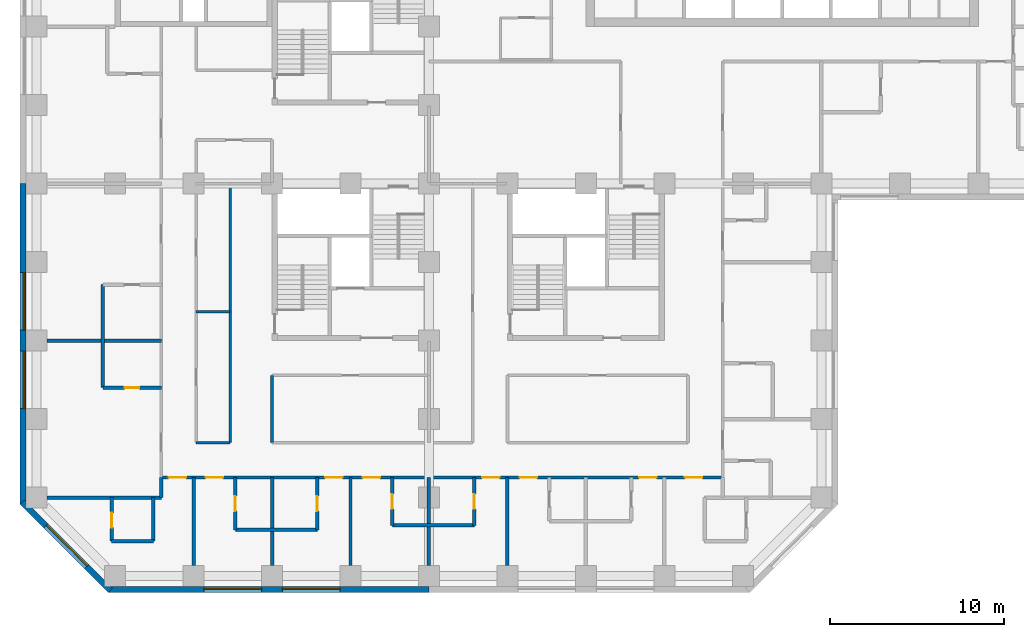
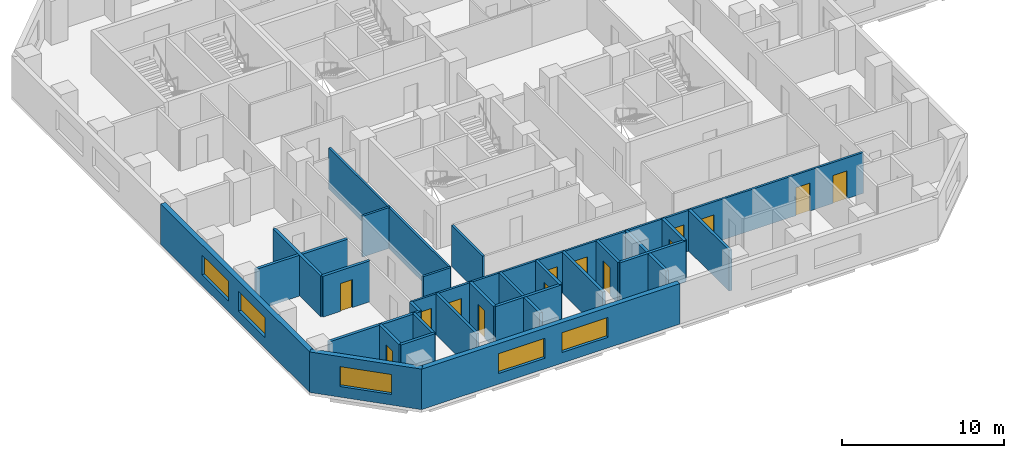
# One storey, part 2 of 12: 27 walls, 14 doors, 5 windows, 19 openings.
"""IFC4 building model written with IfcOpenShell, lengths in metres."""

from ifc_helpers import new_model, si_unit, direction, frame, frame_2d, origin, place, context, subcontext, project, spatial, rectangle, extrude, material, layer, layer_set, constituent, constituent_set, type_object, element, fill, save


model = new_model("IFC4")

# Units and contexts
model_context = context("Model", 3, precision=1e-05, world=origin(), true_north=direction((0.0, 1.0)))
body_context = subcontext(model_context, "Body", "Model", "MODEL_VIEW")
ifc_project = project(units=[si_unit("LENGTHUNIT", "METRE"), si_unit("AREAUNIT", "SQUARE_METRE"), si_unit("VOLUMEUNIT", "CUBIC_METRE"), si_unit("PLANEANGLEUNIT", "RADIAN"), si_unit("MASSUNIT", "GRAM", prefix="KILO")], contexts=[model_context])

# Site, building, storey
site_placement = place(None, origin())
site = spatial("IfcSite", under=ifc_project, at=site_placement, CompositionType="ELEMENT")
building_placement = place(site_placement, origin())
building = spatial("IfcBuilding", under=site, at=building_placement, Name="Quoin Convention Tower", CompositionType="ELEMENT")
storey_placement = place(building_placement, frame((0.0, 0.0, 29.699951171875)))
storey = spatial("IfcBuildingStorey", under=building, at=storey_placement, Name="L06", CompositionType="ELEMENT", Elevation=29.699951171875)

# Wall, opening, window
ifc_material_1 = material(Name="Brick masonry", Category="masonry")
ifc_layer_1 = layer(ifc_material_1, 0.35009765625)
ifc_layer_set_1 = layer_set([ifc_layer_1], Name="Brick masonry")
wall_type_1 = type_object("IfcWallType", Name="Brick facade wall", PredefinedType="STANDARD", material=ifc_layer_set_1)
wall_1_placement = place(storey_placement, frame((12.673583984375, 22.230224609375, 0.0), z_axis=(0.0, 0.0, 1.0), x_axis=(0.707106781187, -0.707106781187, 0.0)))
wall_1 = element("IfcWall", 1, at=wall_1_placement, inside=storey, type_object=wall_type_1, Name="fw-L06-13500_22500", PredefinedType="STANDARD", context=body_context, shape_type="SweptSolid", body=[
    extrude(rectangle(XDim=7.151123046875, YDim=0.35009765625, at=frame_2d((3.57568359375, 0.0))), origin(), (0.0, 0.0, 1.0), 3.054931640625),
])
opening_1_placement = place(wall_1_placement, frame((1.925537109375, 0.0, 0.800048828125)))
opening_1 = element("IfcOpeningElement", 2, at=opening_1_placement, cuts=wall_1, Name="Opening W-01", PredefinedType="OPENING", context=body_context, shape_type="SweptSolid", body=[
    extrude(rectangle(XDim=3.300048828125, YDim=1.5, at=frame_2d((1.64990234375, 0.75))), frame((0.0, 0.18505859375, 0.0), z_axis=(0.0, -1.0, 0.0), x_axis=(1.0, 0.0, 0.0)), (0.0, 0.0, 1.0), 0.3701171875),
])
ifc_material_2 = material(Name="Aluminium", Category="aluminium")
ifc_constituent_1 = constituent(ifc_material_2, Name="Frame")
ifc_material_3 = material(Name="Insulated glass", Category="glass")
ifc_constituent_2 = constituent(ifc_material_3, Name="Glazing")
ifc_constituent_set = constituent_set(constituents=[ifc_constituent_1, ifc_constituent_2], Name="Aluminium")
window_type = type_object("IfcWindowType", Name="Hotel strip window", PartitioningType="DOUBLE_PANEL_VERTICAL", PredefinedType="WINDOW", material=ifc_constituent_set)
window_1_placement = place(opening_1_placement, origin())
window_1 = element("IfcWindow", 3, at=window_1_placement, inside=storey, type_object=window_type, Name="win-L06-15202_19702", OverallHeight=1.5, OverallWidth=3.300048828125, PartitioningType="SINGLE_PANEL", PredefinedType="WINDOW", context=body_context, shape_type="SweptSolid", body=[
    extrude(rectangle(XDim=3.300048828125, YDim=1.5, at=frame_2d((1.64990234375, 0.75))), frame((0.0, 0.0849609375, 0.0), z_axis=(0.0, -1.0, 0.0), x_axis=(1.0, 0.0, 0.0)), (0.0, 0.0, 1.0), 0.06005859375),
])
fill(opening_1, window_1)

# Wall, openings, windows
wall_2_placement = place(storey_placement, frame((17.6064453125, 17.22509765625, 0.0), z_axis=(0.0, 0.0, 1.0), x_axis=(1.0, 0.0, 0.0)))
wall_2 = element("IfcWall", 4, at=wall_2_placement, inside=storey, type_object=wall_type_1, Name="fw-L06-18000_18000", PredefinedType="STANDARD", context=body_context, shape_type="SweptSolid", body=[
    extrude(rectangle(XDim=18.3935546875, YDim=0.35009765625, at=frame_2d((9.19677734375, 0.0))), origin(), (0.0, 0.0, 1.0), 3.054931640625),
])
opening_2_placement = place(wall_2_placement, frame((5.493408203125, 0.0, 0.800048828125)))
opening_2 = element("IfcOpeningElement", 5, at=opening_2_placement, cuts=wall_2, Name="Opening W-01", PredefinedType="OPENING", context=body_context, shape_type="SweptSolid", body=[
    extrude(rectangle(XDim=3.300048828125, YDim=1.5, at=frame_2d((1.64990234375, 0.75))), frame((0.0, 0.18505859375, 0.0), z_axis=(0.0, -1.0, 0.0), x_axis=(1.0, 0.0, 0.0)), (0.0, 0.0, 1.0), 0.3701171875),
])
opening_3_placement = place(wall_2_placement, frame((9.993408203125, 0.0, 0.800048828125)))
opening_3 = element("IfcOpeningElement", 6, at=opening_3_placement, cuts=wall_2, Name="Opening W-01", PredefinedType="OPENING", context=body_context, shape_type="SweptSolid", body=[
    extrude(rectangle(XDim=3.300048828125, YDim=1.5, at=frame_2d((1.64990234375, 0.75))), frame((0.0, 0.18505859375, 0.0), z_axis=(0.0, -1.0, 0.0), x_axis=(1.0, 0.0, 0.0)), (0.0, 0.0, 1.0), 0.3701171875),
])
window_2_placement = place(opening_2_placement, origin())
window_2 = element("IfcWindow", 7, at=window_2_placement, inside=storey, type_object=window_type, Name="win-L06-24750_17225", OverallHeight=1.5, OverallWidth=3.300048828125, PartitioningType="SINGLE_PANEL", PredefinedType="WINDOW", context=body_context, shape_type="SweptSolid", body=[
    extrude(rectangle(XDim=3.300048828125, YDim=1.5, at=frame_2d((1.64990234375, 0.75))), frame((0.0, 0.0849609375, 0.0), z_axis=(0.0, -1.0, 0.0), x_axis=(1.0, 0.0, 0.0)), (0.0, 0.0, 1.0), 0.06005859375),
])
fill(opening_2, window_2)
window_3_placement = place(opening_3_placement, origin())
window_3 = element("IfcWindow", 8, at=window_3_placement, inside=storey, type_object=window_type, Name="win-L06-29250_17225", OverallHeight=1.5, OverallWidth=3.300048828125, PartitioningType="SINGLE_PANEL", PredefinedType="WINDOW", context=body_context, shape_type="SweptSolid", body=[
    extrude(rectangle(XDim=3.300048828125, YDim=1.5, at=frame_2d((1.64990234375, 0.75))), frame((0.0, 0.0849609375, 0.0), z_axis=(0.0, -1.0, 0.0), x_axis=(1.0, 0.0, 0.0)), (0.0, 0.0, 1.0), 0.06005859375),
])
fill(opening_3, window_3)

wall_3_placement = place(storey_placement, frame((12.72509765625, 40.5, 0.0), z_axis=(0.0, 0.0, 1.0), x_axis=(0.0, -1.0, 0.0)))
wall_3 = element("IfcWall", 9, at=wall_3_placement, inside=storey, type_object=wall_type_1, Name="fw-L06-13500_40500", PredefinedType="STANDARD", context=body_context, shape_type="SweptSolid", body=[
    extrude(rectangle(XDim=18.3935546875, YDim=0.35009765625, at=frame_2d((9.19677734375, 0.0))), origin(), (0.0, 0.0, 1.0), 3.054931640625),
])
opening_4_placement = place(wall_3_placement, frame((5.10009765625, 0.0, 0.800048828125)))
opening_4 = element("IfcOpeningElement", 10, at=opening_4_placement, cuts=wall_3, Name="Opening W-01", PredefinedType="OPENING", context=body_context, shape_type="SweptSolid", body=[
    extrude(rectangle(XDim=3.300048828125, YDim=1.5, at=frame_2d((1.64990234375, 0.75))), frame((0.0, 0.18505859375, 0.0), z_axis=(0.0, -1.0, 0.0), x_axis=(1.0, 0.0, 0.0)), (0.0, 0.0, 1.0), 0.3701171875),
])
opening_5_placement = place(wall_3_placement, frame((9.60009765625, 0.0, 0.800048828125)))
opening_5 = element("IfcOpeningElement", 11, at=opening_5_placement, cuts=wall_3, Name="Opening W-01", PredefinedType="OPENING", context=body_context, shape_type="SweptSolid", body=[
    extrude(rectangle(XDim=3.300048828125, YDim=1.5, at=frame_2d((1.64990234375, 0.75))), frame((0.0, 0.18505859375, 0.0), z_axis=(0.0, -1.0, 0.0), x_axis=(1.0, 0.0, 0.0)), (0.0, 0.0, 1.0), 0.3701171875),
])
window_4_placement = place(opening_4_placement, origin())
window_4 = element("IfcWindow", 12, at=window_4_placement, inside=storey, type_object=window_type, Name="win-L06-12725_33750", OverallHeight=1.5, OverallWidth=3.300048828125, PartitioningType="SINGLE_PANEL", PredefinedType="WINDOW", context=body_context, shape_type="SweptSolid", body=[
    extrude(rectangle(XDim=3.300048828125, YDim=1.5, at=frame_2d((1.64990234375, 0.75))), frame((0.0, 0.0849609375, 0.0), z_axis=(0.0, -1.0, 0.0), x_axis=(1.0, 0.0, 0.0)), (0.0, 0.0, 1.0), 0.06005859375),
])
fill(opening_4, window_4)
window_5_placement = place(opening_5_placement, origin())
window_5 = element("IfcWindow", 13, at=window_5_placement, inside=storey, type_object=window_type, Name="win-L06-12725_29250", OverallHeight=1.5, OverallWidth=3.300048828125, PartitioningType="SINGLE_PANEL", PredefinedType="WINDOW", context=body_context, shape_type="SweptSolid", body=[
    extrude(rectangle(XDim=3.300048828125, YDim=1.5, at=frame_2d((1.64990234375, 0.75))), frame((0.0, 0.0849609375, 0.0), z_axis=(0.0, -1.0, 0.0), x_axis=(1.0, 0.0, 0.0)), (0.0, 0.0, 1.0), 0.06005859375),
])
fill(opening_5, window_5)

# Walls
ifc_material_4 = material(Name="Concrete C50", Category="concrete")
ifc_layer_2 = layer(ifc_material_4, 0.199951171875)
ifc_layer_set_2 = layer_set([ifc_layer_2], Name="Concrete C50")
wall_type_2 = type_object("IfcWallType", Name="RC party wall", PredefinedType="SOLIDWALL", material=ifc_layer_set_2)
for number, where, z_axis, x_axis, name in (
    (14, (22.5, 18.60009765625, 0.0), (0.0, 0.0, 1.0), (0.0, 1.0, 0.0), "pw-L06-037"),
    (15, (27.0, 18.60009765625, 0.0), (0.0, 0.0, 1.0), (0.0, 1.0, 0.0), "pw-L06-038"),
    (16, (31.5, 18.60009765625, 0.0), (0.0, 0.0, 1.0), (0.0, 1.0, 0.0), "pw-L06-039"),
    (17, (36.0, 18.60009765625, 0.0), (0.0, 0.0, 1.0), (0.0, 1.0, 0.0), "pw-L06-040"),
    (18, (40.5, 18.60009765625, 0.0), (0.0, 0.0, 1.0), (0.0, 1.0, 0.0), "pw-L06-041"),
):
    element("IfcWall", number, at=place(storey_placement, frame(where, z_axis=z_axis, x_axis=x_axis)), inside=storey, type_object=wall_type_2, Name=name, PredefinedType="SOLIDWALL", context=body_context, shape_type="SweptSolid", body=[
        extrude(rectangle(XDim=5.0498046875, YDim=0.199951171875, at=frame_2d((2.52490234375, 0.0))), origin(), (0.0, 0.0, 1.0), 3.080078125),
    ])
wall_4_placement = place(storey_placement, frame((17.800048828125, 20.0, 0.0), z_axis=(0.0, 0.0, 1.0), x_axis=(1.0, 0.0, 0.0)))
element("IfcWall", 19, at=wall_4_placement, inside=storey, type_object=wall_type_2, Name="pw-L06-044", PredefinedType="SOLIDWALL", context=body_context, shape_type="SweptSolid", body=[
    extrude(rectangle(XDim=2.39990234375, YDim=0.199951171875, at=frame_2d((1.199951171875, 0.0))), origin(), (0.0, 0.0, 1.0), 3.080078125),
])

# Wall, opening, door
wall_5_placement = place(storey_placement, frame((17.800048828125, 20.0, 0.0), z_axis=(0.0, 0.0, 1.0), x_axis=(0.0, 1.0, 0.0)))
wall_5 = element("IfcWall", 20, at=wall_5_placement, inside=storey, type_object=wall_type_2, Name="pw-L06-045", PredefinedType="SOLIDWALL", context=body_context, shape_type="SweptSolid", body=[
    extrude(rectangle(XDim=2.5, YDim=0.199951171875, at=frame_2d((1.25, 0.0))), origin(), (0.0, 0.0, 1.0), 3.080078125),
])
opening_6_placement = place(wall_5_placement, frame((0.77490234375, 0.0, 0.0)))
opening_6 = element("IfcOpeningElement", 21, at=opening_6_placement, cuts=wall_5, Name="Opening DHOTEL-B-42", PredefinedType="OPENING", context=body_context, shape_type="SweptSolid", body=[
    extrude(rectangle(XDim=0.85009765625, YDim=2.10009765625, at=frame_2d((0.425048828125, 1.050048828125))), frame((0.0, 0.10986328125, 0.0), z_axis=(0.0, -1.0, 0.0), x_axis=(1.0, 0.0, 0.0)), (0.0, 0.0, 1.0), 0.219970703125),
])
ifc_material_5 = material(Name="Steel door leaf", Category="steel")
door_type_1 = type_object("IfcDoorType", Name="Bathroom door", OperationType="SINGLE_SWING_LEFT", PredefinedType="DOOR", material=ifc_material_5)
door_1_placement = place(opening_6_placement, origin())
door_1 = element("IfcDoor", 22, at=door_1_placement, inside=storey, type_object=door_type_1, Name="dr-L06-058", OperationType="SINGLE_SWING_RIGHT", OverallHeight=2.10009765625, OverallWidth=0.85009765625, PredefinedType="DOOR", context=body_context, shape_type="SweptSolid", body=[
    extrude(rectangle(XDim=0.85009765625, YDim=2.10009765625, at=frame_2d((0.425048828125, 1.050048828125))), frame((0.0, 0.02490234375, 0.0), z_axis=(0.0, -1.0, 0.0), x_axis=(1.0, 0.0, 0.0)), (0.0, 0.0, 1.0), 0.050048828125),
])
fill(opening_6, door_1)

# Walls
wall_6_placement = place(storey_placement, frame((20.199951171875, 20.0, 0.0), z_axis=(0.0, 0.0, 1.0), x_axis=(0.0, 1.0, 0.0)))
element("IfcWall", 23, at=wall_6_placement, inside=storey, type_object=wall_type_2, Name="pw-L06-046", PredefinedType="SOLIDWALL", context=body_context, shape_type="SweptSolid", body=[
    extrude(rectangle(XDim=2.5, YDim=0.199951171875, at=frame_2d((1.25, 0.0))), origin(), (0.0, 0.0, 1.0), 3.080078125),
])
wall_7_placement = place(storey_placement, frame((24.89990234375, 20.64990234375, 0.0), z_axis=(0.0, 0.0, 1.0), x_axis=(1.0, 0.0, 0.0)))
element("IfcWall", 24, at=wall_7_placement, inside=storey, type_object=wall_type_2, Name="pw-L06-050", PredefinedType="SOLIDWALL", context=body_context, shape_type="SweptSolid", body=[
    extrude(rectangle(XDim=4.7001953125, YDim=0.199951171875, at=frame_2d((2.35009765625, 0.0))), origin(), (0.0, 0.0, 1.0), 3.080078125),
])

# Wall, opening, door
wall_8_placement = place(storey_placement, frame((24.89990234375, 20.64990234375, 0.0), z_axis=(0.0, 0.0, 1.0), x_axis=(0.0, 1.0, 0.0)))
wall_8 = element("IfcWall", 25, at=wall_8_placement, inside=storey, type_object=wall_type_2, Name="pw-L06-051", PredefinedType="SOLIDWALL", context=body_context, shape_type="SweptSolid", body=[
    extrude(rectangle(XDim=3.0, YDim=0.199951171875, at=frame_2d((1.5, 0.0))), origin(), (0.0, 0.0, 1.0), 3.080078125),
])
opening_7_placement = place(wall_8_placement, frame((1.074951171875, 0.0, 0.0)))
opening_7 = element("IfcOpeningElement", 26, at=opening_7_placement, cuts=wall_8, Name="Opening DHOTEL-B-44", PredefinedType="OPENING", context=body_context, shape_type="SweptSolid", body=[
    extrude(rectangle(XDim=0.85009765625, YDim=2.10009765625, at=frame_2d((0.425048828125, 1.050048828125))), frame((0.0, 0.10986328125, 0.0), z_axis=(0.0, -1.0, 0.0), x_axis=(1.0, 0.0, 0.0)), (0.0, 0.0, 1.0), 0.219970703125),
])
door_2_placement = place(opening_7_placement, origin())
door_2 = element("IfcDoor", 27, at=door_2_placement, inside=storey, type_object=door_type_1, Name="dr-L06-002", OperationType="SINGLE_SWING_RIGHT", OverallHeight=2.10009765625, OverallWidth=0.85009765625, PredefinedType="DOOR", context=body_context, shape_type="SweptSolid", body=[
    extrude(rectangle(XDim=0.85009765625, YDim=2.10009765625, at=frame_2d((0.425048828125, 1.050048828125))), frame((0.0, 0.02490234375, 0.0), z_axis=(0.0, -1.0, 0.0), x_axis=(1.0, 0.0, 0.0)), (0.0, 0.0, 1.0), 0.050048828125),
])
fill(opening_7, door_2)

wall_9_placement = place(storey_placement, frame((29.60009765625, 20.64990234375, 0.0), z_axis=(0.0, 0.0, 1.0), x_axis=(0.0, 1.0, 0.0)))
wall_9 = element("IfcWall", 28, at=wall_9_placement, inside=storey, type_object=wall_type_2, Name="pw-L06-052", PredefinedType="SOLIDWALL", context=body_context, shape_type="SweptSolid", body=[
    extrude(rectangle(XDim=3.0, YDim=0.199951171875, at=frame_2d((1.5, 0.0))), origin(), (0.0, 0.0, 1.0), 3.080078125),
])
opening_8_placement = place(wall_9_placement, frame((1.074951171875, 0.0, 0.0)))
opening_8 = element("IfcOpeningElement", 29, at=opening_8_placement, cuts=wall_9, Name="Opening DHOTEL-B-45", PredefinedType="OPENING", context=body_context, shape_type="SweptSolid", body=[
    extrude(rectangle(XDim=0.85009765625, YDim=2.10009765625, at=frame_2d((0.425048828125, 1.050048828125))), frame((0.0, 0.10986328125, 0.0), z_axis=(0.0, -1.0, 0.0), x_axis=(1.0, 0.0, 0.0)), (0.0, 0.0, 1.0), 0.219970703125),
])
door_3_placement = place(opening_8_placement, frame((0.85009765625, 0.0, 0.0), z_axis=(0.0, 0.0, 1.0), x_axis=(-1.0, 0.0, 0.0)))
door_3 = element("IfcDoor", 30, at=door_3_placement, inside=storey, type_object=door_type_1, Name="dr-L06-004", OperationType="SINGLE_SWING_LEFT", OverallHeight=2.10009765625, OverallWidth=0.85009765625, PredefinedType="DOOR", context=body_context, shape_type="SweptSolid", body=[
    extrude(rectangle(XDim=0.85009765625, YDim=2.10009765625, at=frame_2d((0.425048828125, 1.050048828125))), frame((0.0, 0.02490234375, 0.0), z_axis=(0.0, -1.0, 0.0), x_axis=(1.0, 0.0, 0.0)), (0.0, 0.0, 1.0), 0.050048828125),
])
fill(opening_8, door_3)

# Wall
wall_10_placement = place(storey_placement, frame((33.89990234375, 20.89990234375, 0.0), z_axis=(0.0, 0.0, 1.0), x_axis=(1.0, 0.0, 0.0)))
element("IfcWall", 31, at=wall_10_placement, inside=storey, type_object=wall_type_2, Name="pw-L06-053", PredefinedType="SOLIDWALL", context=body_context, shape_type="SweptSolid", body=[
    extrude(rectangle(XDim=4.7001953125, YDim=0.199951171875, at=frame_2d((2.35009765625, 0.0))), origin(), (0.0, 0.0, 1.0), 3.080078125),
])

# Wall, opening, door
wall_11_placement = place(storey_placement, frame((33.89990234375, 20.89990234375, 0.0), z_axis=(0.0, 0.0, 1.0), x_axis=(0.0, 1.0, 0.0)))
wall_11 = element("IfcWall", 32, at=wall_11_placement, inside=storey, type_object=wall_type_2, Name="pw-L06-054", PredefinedType="SOLIDWALL", context=body_context, shape_type="SweptSolid", body=[
    extrude(rectangle(XDim=2.75, YDim=0.199951171875, at=frame_2d((1.375, 0.0))), origin(), (0.0, 0.0, 1.0), 3.080078125),
])
opening_9_placement = place(wall_11_placement, frame((0.949951171875, 0.0, 0.0)))
opening_9 = element("IfcOpeningElement", 33, at=opening_9_placement, cuts=wall_11, Name="Opening DHOTEL-B-46", PredefinedType="OPENING", context=body_context, shape_type="SweptSolid", body=[
    extrude(rectangle(XDim=0.85009765625, YDim=2.10009765625, at=frame_2d((0.425048828125, 1.050048828125))), frame((0.0, 0.10986328125, 0.0), z_axis=(0.0, -1.0, 0.0), x_axis=(1.0, 0.0, 0.0)), (0.0, 0.0, 1.0), 0.219970703125),
])
door_4_placement = place(opening_9_placement, origin())
door_4 = element("IfcDoor", 34, at=door_4_placement, inside=storey, type_object=door_type_1, Name="dr-L06-006", OperationType="SINGLE_SWING_RIGHT", OverallHeight=2.10009765625, OverallWidth=0.85009765625, PredefinedType="DOOR", context=body_context, shape_type="SweptSolid", body=[
    extrude(rectangle(XDim=0.85009765625, YDim=2.10009765625, at=frame_2d((0.425048828125, 1.050048828125))), frame((0.0, 0.02490234375, 0.0), z_axis=(0.0, -1.0, 0.0), x_axis=(1.0, 0.0, 0.0)), (0.0, 0.0, 1.0), 0.050048828125),
])
fill(opening_9, door_4)

wall_12_placement = place(storey_placement, frame((38.60009765625, 20.89990234375, 0.0), z_axis=(0.0, 0.0, 1.0), x_axis=(0.0, 1.0, 0.0)))
wall_12 = element("IfcWall", 35, at=wall_12_placement, inside=storey, type_object=wall_type_2, Name="pw-L06-055", PredefinedType="SOLIDWALL", context=body_context, shape_type="SweptSolid", body=[
    extrude(rectangle(XDim=2.75, YDim=0.199951171875, at=frame_2d((1.375, 0.0))), origin(), (0.0, 0.0, 1.0), 3.080078125),
])
opening_10_placement = place(wall_12_placement, frame((0.949951171875, 0.0, 0.0)))
opening_10 = element("IfcOpeningElement", 36, at=opening_10_placement, cuts=wall_12, Name="Opening DHOTEL-B-47", PredefinedType="OPENING", context=body_context, shape_type="SweptSolid", body=[
    extrude(rectangle(XDim=0.85009765625, YDim=2.10009765625, at=frame_2d((0.425048828125, 1.050048828125))), frame((0.0, 0.10986328125, 0.0), z_axis=(0.0, -1.0, 0.0), x_axis=(1.0, 0.0, 0.0)), (0.0, 0.0, 1.0), 0.219970703125),
])
door_5_placement = place(opening_10_placement, frame((0.85009765625, 0.0, 0.0), z_axis=(0.0, 0.0, 1.0), x_axis=(-1.0, 0.0, 0.0)))
door_5 = element("IfcDoor", 37, at=door_5_placement, inside=storey, type_object=door_type_1, Name="dr-L06-008", OperationType="SINGLE_SWING_LEFT", OverallHeight=2.10009765625, OverallWidth=0.85009765625, PredefinedType="DOOR", context=body_context, shape_type="SweptSolid", body=[
    extrude(rectangle(XDim=0.85009765625, YDim=2.10009765625, at=frame_2d((0.425048828125, 1.050048828125))), frame((0.0, 0.02490234375, 0.0), z_axis=(0.0, -1.0, 0.0), x_axis=(1.0, 0.0, 0.0)), (0.0, 0.0, 1.0), 0.050048828125),
])
fill(opening_10, door_5)

# Walls
wall_13_placement = place(storey_placement, frame((14.10009765625, 22.5, 0.0), z_axis=(0.0, 0.0, 1.0), x_axis=(1.0, 0.0, 0.0)))
element("IfcWall", 38, at=wall_13_placement, inside=storey, type_object=wall_type_2, Name="pw-L06-059", PredefinedType="SOLIDWALL", context=body_context, shape_type="SweptSolid", body=[
    extrude(rectangle(XDim=6.5498046875, YDim=0.199951171875, at=frame_2d((3.27490234375, 0.0))), origin(), (0.0, 0.0, 1.0), 3.080078125),
])
wall_14_placement = place(storey_placement, frame((20.64990234375, 22.5, 0.0), z_axis=(0.0, 0.0, 1.0), x_axis=(0.0, 1.0, 0.0)))
element("IfcWall", 39, at=wall_14_placement, inside=storey, type_object=wall_type_2, Name="pw-L06-060", PredefinedType="SOLIDWALL", context=body_context, shape_type="SweptSolid", body=[
    extrude(rectangle(XDim=1.14990234375, YDim=0.199951171875, at=frame_2d((0.574951171875, 0.0))), origin(), (0.0, 0.0, 1.0), 3.080078125),
])

# Wall, opening, door
wall_15_placement = place(storey_placement, frame((17.300048828125, 28.800048828125, 0.0), z_axis=(0.0, 0.0, 1.0), x_axis=(1.0, 0.0, 0.0)))
wall_15 = element("IfcWall", 40, at=wall_15_placement, inside=storey, type_object=wall_type_2, Name="pw-L06-067", PredefinedType="SOLIDWALL", context=body_context, shape_type="SweptSolid", body=[
    extrude(rectangle(XDim=3.349853515625, YDim=0.199951171875, at=frame_2d((1.6748046875, 0.0))), origin(), (0.0, 0.0, 1.0), 3.080078125),
])
opening_11_placement = place(wall_15_placement, frame((1.25, 0.0, 0.0)))
opening_11 = element("IfcOpeningElement", 41, at=opening_11_placement, cuts=wall_15, Name="Opening DHOTEL-B-51", PredefinedType="OPENING", context=body_context, shape_type="SweptSolid", body=[
    extrude(rectangle(XDim=0.85009765625, YDim=2.10009765625, at=frame_2d((0.425048828125, 1.050048828125))), frame((0.0, 0.10986328125, 0.0), z_axis=(0.0, -1.0, 0.0), x_axis=(1.0, 0.0, 0.0)), (0.0, 0.0, 1.0), 0.219970703125),
])
door_6_placement = place(opening_11_placement, frame((0.85009765625, 0.0, 0.0), z_axis=(0.0, 0.0, 1.0), x_axis=(-1.0, 0.0, 0.0)))
door_6 = element("IfcDoor", 42, at=door_6_placement, inside=storey, type_object=door_type_1, Name="dr-L06-014", OperationType="SINGLE_SWING_LEFT", OverallHeight=2.10009765625, OverallWidth=0.85009765625, PredefinedType="DOOR", context=body_context, shape_type="SweptSolid", body=[
    extrude(rectangle(XDim=0.85009765625, YDim=2.10009765625, at=frame_2d((0.425048828125, 1.050048828125))), frame((0.0, 0.02490234375, 0.0), z_axis=(0.0, -1.0, 0.0), x_axis=(1.0, 0.0, 0.0)), (0.0, 0.0, 1.0), 0.050048828125),
])
fill(opening_11, door_6)

# Walls
wall_16_placement = place(storey_placement, frame((17.300048828125, 28.800048828125, 0.0), z_axis=(0.0, 0.0, 1.0), x_axis=(0.0, 1.0, 0.0)))
element("IfcWall", 43, at=wall_16_placement, inside=storey, type_object=wall_type_2, Name="pw-L06-068", PredefinedType="SOLIDWALL", context=body_context, shape_type="SweptSolid", body=[
    extrude(rectangle(XDim=5.89990234375, YDim=0.199951171875, at=frame_2d((2.949951171875, 0.0))), origin(), (0.0, 0.0, 1.0), 3.080078125),
])
wall_17_placement = place(storey_placement, frame((14.10009765625, 31.5, 0.0), z_axis=(0.0, 0.0, 1.0), x_axis=(1.0, 0.0, 0.0)))
element("IfcWall", 44, at=wall_17_placement, inside=storey, type_object=wall_type_2, Name="pw-L06-070", PredefinedType="SOLIDWALL", context=body_context, shape_type="SweptSolid", body=[
    extrude(rectangle(XDim=6.5498046875, YDim=0.199951171875, at=frame_2d((3.27490234375, 0.0))), origin(), (0.0, 0.0, 1.0), 3.080078125),
])

# Wall, openings, doors
ifc_material_6 = material(Name="Plasterboard")
ifc_layer_3 = layer(ifc_material_6, 0.012451171875, Name="Finish")
ifc_material_7 = material(Name="Steel stud framing", Category="steel")
ifc_layer_4 = layer(ifc_material_7, 0.125, Name="Structure")
ifc_layer_5 = layer(ifc_material_6, 0.012451171875, Name="Finish")
ifc_layer_set_3 = layer_set([ifc_layer_3, ifc_layer_4, ifc_layer_5], Name="Steel stud framing")
wall_type_3 = type_object("IfcWallType", Name="corridor partition", PredefinedType="PARTITIONING", material=ifc_layer_set_3)
wall_18_placement = place(storey_placement, frame((20.64990234375, 23.64990234375, 0.0), z_axis=(0.0, 0.0, 1.0), x_axis=(1.0, 0.0, 0.0)))
wall_18 = element("IfcWall", 45, at=wall_18_placement, inside=storey, type_object=wall_type_3, Name="pw-L06-005", PredefinedType="PARTITIONING", context=body_context, shape_type="SweptSolid", body=[
    extrude(rectangle(XDim=32.2001953125, YDim=0.14990234375, at=frame_2d((16.10009765625, 0.0))), origin(), (0.0, 0.0, 1.0), 3.080078125),
])
opening_12_placement = place(wall_18_placement, frame((2.550048828125, 0.0, 0.0)))
opening_12 = element("IfcOpeningElement", 46, at=opening_12_placement, cuts=wall_18, Name="Opening DHOTEL-B-02", PredefinedType="OPENING", context=body_context, shape_type="SweptSolid", body=[
    extrude(rectangle(XDim=1.0, YDim=2.10009765625, at=frame_2d((0.5, 1.050048828125))), frame((0.0, 0.0849609375, 0.0), z_axis=(0.0, -1.0, 0.0), x_axis=(1.0, 0.0, 0.0)), (0.0, 0.0, 1.0), 0.169921875),
])
opening_13_placement = place(wall_18_placement, frame((9.39990234375, 0.0, 0.0)))
opening_13 = element("IfcOpeningElement", 47, at=opening_13_placement, cuts=wall_18, Name="Opening DHOTEL-B-03", PredefinedType="OPENING", context=body_context, shape_type="SweptSolid", body=[
    extrude(rectangle(XDim=1.0, YDim=2.10009765625, at=frame_2d((0.5, 1.050048828125))), frame((0.0, 0.0849609375, 0.0), z_axis=(0.0, -1.0, 0.0), x_axis=(1.0, 0.0, 0.0)), (0.0, 0.0, 1.0), 0.169921875),
])
opening_14_placement = place(wall_18_placement, frame((11.550048828125, 0.0, 0.0)))
opening_14 = element("IfcOpeningElement", 48, at=opening_14_placement, cuts=wall_18, Name="Opening DHOTEL-B-04", PredefinedType="OPENING", context=body_context, shape_type="SweptSolid", body=[
    extrude(rectangle(XDim=1.0, YDim=2.10009765625, at=frame_2d((0.5, 1.050048828125))), frame((0.0, 0.0849609375, 0.0), z_axis=(0.0, -1.0, 0.0), x_axis=(1.0, 0.0, 0.0)), (0.0, 0.0, 1.0), 0.169921875),
])
opening_15_placement = place(wall_18_placement, frame((18.39990234375, 0.0, 0.0)))
opening_15 = element("IfcOpeningElement", 49, at=opening_15_placement, cuts=wall_18, Name="Opening DHOTEL-B-05", PredefinedType="OPENING", context=body_context, shape_type="SweptSolid", body=[
    extrude(rectangle(XDim=1.0, YDim=2.10009765625, at=frame_2d((0.5, 1.050048828125))), frame((0.0, 0.0849609375, 0.0), z_axis=(0.0, -1.0, 0.0), x_axis=(1.0, 0.0, 0.0)), (0.0, 0.0, 1.0), 0.169921875),
])
opening_16_placement = place(wall_18_placement, frame((20.550048828125, 0.0, 0.0)))
opening_16 = element("IfcOpeningElement", 50, at=opening_16_placement, cuts=wall_18, Name="Opening DHOTEL-B-06", PredefinedType="OPENING", context=body_context, shape_type="SweptSolid", body=[
    extrude(rectangle(XDim=1.0, YDim=2.10009765625, at=frame_2d((0.5, 1.050048828125))), frame((0.0, 0.0849609375, 0.0), z_axis=(0.0, -1.0, 0.0), x_axis=(1.0, 0.0, 0.0)), (0.0, 0.0, 1.0), 0.169921875),
])
opening_17_placement = place(wall_18_placement, frame((27.39990234375, 0.0, 0.0)))
opening_17 = element("IfcOpeningElement", 51, at=opening_17_placement, cuts=wall_18, Name="Opening DHOTEL-B-07", PredefinedType="OPENING", context=body_context, shape_type="SweptSolid", body=[
    extrude(rectangle(XDim=1.0, YDim=2.10009765625, at=frame_2d((0.5, 1.050048828125))), frame((0.0, 0.0849609375, 0.0), z_axis=(0.0, -1.0, 0.0), x_axis=(1.0, 0.0, 0.0)), (0.0, 0.0, 1.0), 0.169921875),
])
opening_18_placement = place(wall_18_placement, frame((0.425048828125, 0.0, 0.0)))
opening_18 = element("IfcOpeningElement", 52, at=opening_18_placement, cuts=wall_18, Name="Opening DHOTEL-B-01", PredefinedType="OPENING", context=body_context, shape_type="SweptSolid", body=[
    extrude(rectangle(XDim=1.0, YDim=2.10009765625, at=frame_2d((0.5, 1.050048828125))), frame((0.0, 0.0849609375, 0.0), z_axis=(0.0, -1.0, 0.0), x_axis=(1.0, 0.0, 0.0)), (0.0, 0.0, 1.0), 0.169921875),
])
opening_19_placement = place(wall_18_placement, frame((30.02490234375, 0.0, 0.0)))
opening_19 = element("IfcOpeningElement", 53, at=opening_19_placement, cuts=wall_18, Name="Opening DHOTEL-B-08", PredefinedType="OPENING", context=body_context, shape_type="SweptSolid", body=[
    extrude(rectangle(XDim=1.0, YDim=2.10009765625, at=frame_2d((0.5, 1.050048828125))), frame((0.0, 0.0849609375, 0.0), z_axis=(0.0, -1.0, 0.0), x_axis=(1.0, 0.0, 0.0)), (0.0, 0.0, 1.0), 0.169921875),
])
door_type_2 = type_object("IfcDoorType", Name="Hotel room door", OperationType="SINGLE_SWING_LEFT", PredefinedType="DOOR", material=ifc_material_5)
door_7_placement = place(opening_12_placement, frame((1.0, 0.0, 0.0), z_axis=(0.0, 0.0, 1.0), x_axis=(-1.0, 0.0, 0.0)))
door_7 = element("IfcDoor", 54, at=door_7_placement, inside=storey, type_object=door_type_2, Name="dr-L06-001", OperationType="SINGLE_SWING_LEFT", OverallHeight=2.10009765625, OverallWidth=1.0, PredefinedType="DOOR", context=body_context, shape_type="SweptSolid", body=[
    extrude(rectangle(XDim=1.0, YDim=2.10009765625, at=frame_2d((0.5, 1.050048828125))), frame((0.0, 0.02490234375, 0.0), z_axis=(0.0, -1.0, 0.0), x_axis=(1.0, 0.0, 0.0)), (0.0, 0.0, 1.0), 0.050048828125),
])
fill(opening_12, door_7)
door_8_placement = place(opening_13_placement, frame((1.0, 0.0, 0.0), z_axis=(0.0, 0.0, 1.0), x_axis=(-1.0, 0.0, 0.0)))
door_8 = element("IfcDoor", 55, at=door_8_placement, inside=storey, type_object=door_type_2, Name="dr-L06-003", OperationType="SINGLE_SWING_LEFT", OverallHeight=2.10009765625, OverallWidth=1.0, PredefinedType="DOOR", context=body_context, shape_type="SweptSolid", body=[
    extrude(rectangle(XDim=1.0, YDim=2.10009765625, at=frame_2d((0.5, 1.050048828125))), frame((0.0, 0.02490234375, 0.0), z_axis=(0.0, -1.0, 0.0), x_axis=(1.0, 0.0, 0.0)), (0.0, 0.0, 1.0), 0.050048828125),
])
fill(opening_13, door_8)
door_9_placement = place(opening_14_placement, frame((1.0, 0.0, 0.0), z_axis=(0.0, 0.0, 1.0), x_axis=(-1.0, 0.0, 0.0)))
door_9 = element("IfcDoor", 56, at=door_9_placement, inside=storey, type_object=door_type_2, Name="dr-L06-005", OperationType="SINGLE_SWING_LEFT", OverallHeight=2.10009765625, OverallWidth=1.0, PredefinedType="DOOR", context=body_context, shape_type="SweptSolid", body=[
    extrude(rectangle(XDim=1.0, YDim=2.10009765625, at=frame_2d((0.5, 1.050048828125))), frame((0.0, 0.02490234375, 0.0), z_axis=(0.0, -1.0, 0.0), x_axis=(1.0, 0.0, 0.0)), (0.0, 0.0, 1.0), 0.050048828125),
])
fill(opening_14, door_9)
door_10_placement = place(opening_15_placement, frame((1.0, 0.0, 0.0), z_axis=(0.0, 0.0, 1.0), x_axis=(-1.0, 0.0, 0.0)))
door_10 = element("IfcDoor", 57, at=door_10_placement, inside=storey, type_object=door_type_2, Name="dr-L06-007", OperationType="SINGLE_SWING_LEFT", OverallHeight=2.10009765625, OverallWidth=1.0, PredefinedType="DOOR", context=body_context, shape_type="SweptSolid", body=[
    extrude(rectangle(XDim=1.0, YDim=2.10009765625, at=frame_2d((0.5, 1.050048828125))), frame((0.0, 0.02490234375, 0.0), z_axis=(0.0, -1.0, 0.0), x_axis=(1.0, 0.0, 0.0)), (0.0, 0.0, 1.0), 0.050048828125),
])
fill(opening_15, door_10)
door_11_placement = place(opening_16_placement, frame((1.0, 0.0, 0.0), z_axis=(0.0, 0.0, 1.0), x_axis=(-1.0, 0.0, 0.0)))
door_11 = element("IfcDoor", 58, at=door_11_placement, inside=storey, type_object=door_type_2, Name="dr-L06-009", OperationType="SINGLE_SWING_LEFT", OverallHeight=2.10009765625, OverallWidth=1.0, PredefinedType="DOOR", context=body_context, shape_type="SweptSolid", body=[
    extrude(rectangle(XDim=1.0, YDim=2.10009765625, at=frame_2d((0.5, 1.050048828125))), frame((0.0, 0.02490234375, 0.0), z_axis=(0.0, -1.0, 0.0), x_axis=(1.0, 0.0, 0.0)), (0.0, 0.0, 1.0), 0.050048828125),
])
fill(opening_16, door_11)
door_12_placement = place(opening_17_placement, frame((1.0, 0.0, 0.0), z_axis=(0.0, 0.0, 1.0), x_axis=(-1.0, 0.0, 0.0)))
door_12 = element("IfcDoor", 59, at=door_12_placement, inside=storey, type_object=door_type_2, Name="dr-L06-011", OperationType="SINGLE_SWING_LEFT", OverallHeight=2.10009765625, OverallWidth=1.0, PredefinedType="DOOR", context=body_context, shape_type="SweptSolid", body=[
    extrude(rectangle(XDim=1.0, YDim=2.10009765625, at=frame_2d((0.5, 1.050048828125))), frame((0.0, 0.02490234375, 0.0), z_axis=(0.0, -1.0, 0.0), x_axis=(1.0, 0.0, 0.0)), (0.0, 0.0, 1.0), 0.050048828125),
])
fill(opening_17, door_12)
door_13_placement = place(opening_18_placement, frame((1.0, 0.0, 0.0), z_axis=(0.0, 0.0, 1.0), x_axis=(-1.0, 0.0, 0.0)))
door_13 = element("IfcDoor", 60, at=door_13_placement, inside=storey, type_object=door_type_2, Name="dr-L06-057", OperationType="SINGLE_SWING_LEFT", OverallHeight=2.10009765625, OverallWidth=1.0, PredefinedType="DOOR", context=body_context, shape_type="SweptSolid", body=[
    extrude(rectangle(XDim=1.0, YDim=2.10009765625, at=frame_2d((0.5, 1.050048828125))), frame((0.0, 0.02490234375, 0.0), z_axis=(0.0, -1.0, 0.0), x_axis=(1.0, 0.0, 0.0)), (0.0, 0.0, 1.0), 0.050048828125),
])
fill(opening_18, door_13)
door_14_placement = place(opening_19_placement, frame((1.0, 0.0, 0.0), z_axis=(0.0, 0.0, 1.0), x_axis=(-1.0, 0.0, 0.0)))
door_14 = element("IfcDoor", 61, at=door_14_placement, inside=storey, type_object=door_type_2, Name="dr-L06-059", OperationType="SINGLE_SWING_LEFT", OverallHeight=2.10009765625, OverallWidth=1.0, PredefinedType="DOOR", context=body_context, shape_type="SweptSolid", body=[
    extrude(rectangle(XDim=1.0, YDim=2.10009765625, at=frame_2d((0.5, 1.050048828125))), frame((0.0, 0.02490234375, 0.0), z_axis=(0.0, -1.0, 0.0), x_axis=(1.0, 0.0, 0.0)), (0.0, 0.0, 1.0), 0.050048828125),
])
fill(opening_19, door_14)

# Walls
wall_19_placement = place(storey_placement, frame((22.64990234375, 25.64990234375, 0.0), z_axis=(0.0, 0.0, 1.0), x_axis=(1.0, 0.0, 0.0)))
element("IfcWall", 62, at=wall_19_placement, inside=storey, type_object=wall_type_3, Name="pw-L06-008", PredefinedType="PARTITIONING", context=body_context, shape_type="SweptSolid", body=[
    extrude(rectangle(XDim=1.9501953125, YDim=0.14990234375, at=frame_2d((0.97509765625, 0.0))), origin(), (0.0, 0.0, 1.0), 3.080078125),
])
wall_20_placement = place(storey_placement, frame((24.60009765625, 25.64990234375, 0.0), z_axis=(0.0, 0.0, 1.0), x_axis=(0.0, 1.0, 0.0)))
element("IfcWall", 63, at=wall_20_placement, inside=storey, type_object=wall_type_3, Name="pw-L06-010", PredefinedType="PARTITIONING", context=body_context, shape_type="SweptSolid", body=[
    extrude(rectangle(XDim=14.85009765625, YDim=0.14990234375, at=frame_2d((7.425048828125, 0.0))), origin(), (0.0, 0.0, 1.0), 3.080078125),
])
wall_21_placement = place(storey_placement, frame((27.0, 25.64990234375, 0.0), z_axis=(0.0, 0.0, 1.0), x_axis=(0.0, 1.0, 0.0)))
element("IfcWall", 64, at=wall_21_placement, inside=storey, type_object=wall_type_3, Name="pw-L06-012", PredefinedType="PARTITIONING", context=body_context, shape_type="SweptSolid", body=[
    extrude(rectangle(XDim=3.85009765625, YDim=0.14990234375, at=frame_2d((1.925048828125, 0.0))), origin(), (0.0, 0.0, 1.0), 3.080078125),
])
ifc_layer_6 = layer(ifc_material_6, 0.012451171875, Name="Finish")
ifc_layer_7 = layer(ifc_material_7, 0.125, Name="Structure")
ifc_layer_8 = layer(ifc_material_6, 0.012451171875, Name="Finish")
ifc_layer_set_4 = layer_set([ifc_layer_6, ifc_layer_7, ifc_layer_8], Name="Steel stud framing")
wall_type_4 = type_object("IfcWallType", Name="room partition", PredefinedType="PARTITIONING", material=ifc_layer_set_4)
wall_22_placement = place(storey_placement, frame((22.64990234375, 33.14990234375, 0.0), z_axis=(0.0, 0.0, 1.0), x_axis=(1.0, 0.0, 0.0)))
element("IfcWall", 65, at=wall_22_placement, inside=storey, type_object=wall_type_4, Name="pw-L06-149", PredefinedType="PARTITIONING", context=body_context, shape_type="SweptSolid", body=[
    extrude(rectangle(XDim=1.9501953125, YDim=0.14990234375, at=frame_2d((0.97509765625, 0.0))), origin(), (0.0, 0.0, 1.0), 3.080078125),
])

save(model, "model.ifc")
